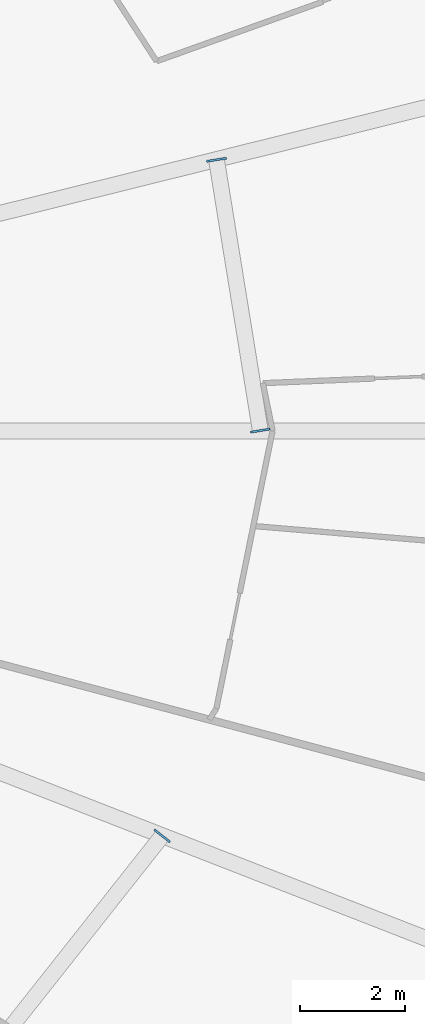
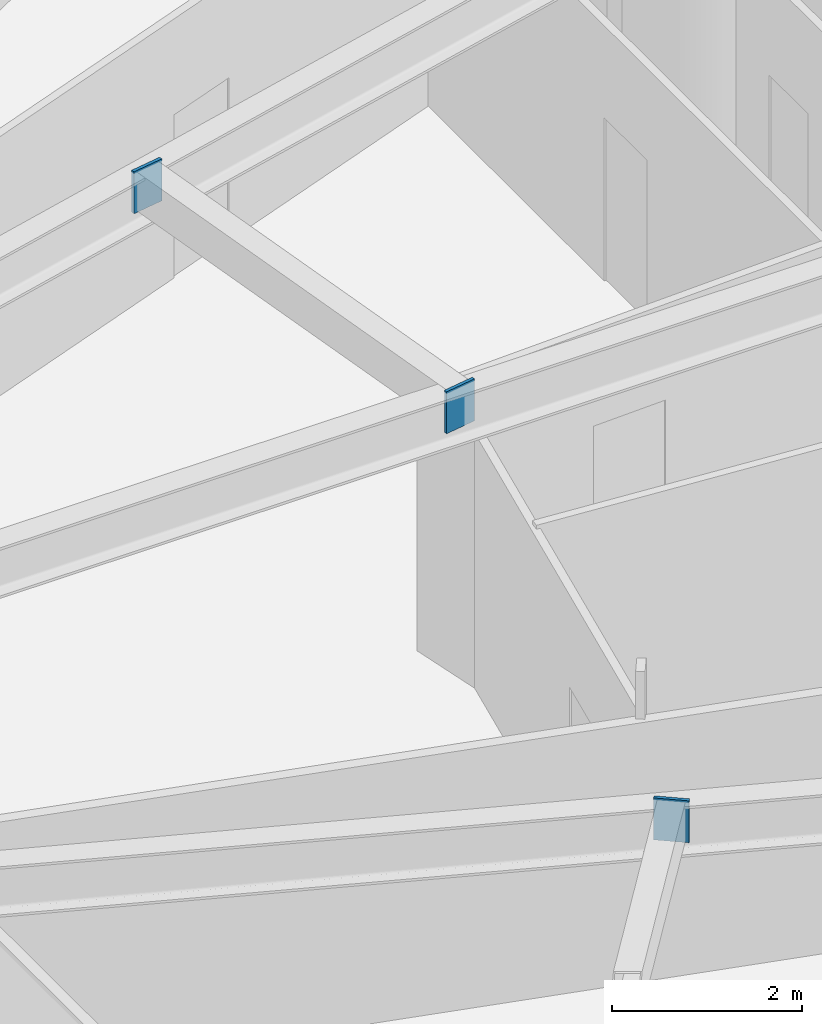
# One storey, part 8 of 24: 3 plates.
"""IFC4 building model written with IfcOpenShell, lengths in metres."""

from ifc_helpers import new_model, si_unit, direction, frame, origin, origin_2d, place, context, subcontext, project, spatial, rectangle, extrude, source, transform, mapped, material, layer, layer_set, type_object, element, save


model = new_model("IFC4")

# Units and contexts
model_context = context("Model", 3, precision=1e-05, world=origin(), true_north=direction((0.0, 1.0)))
body_context = subcontext(model_context, "Body", "Model", "MODEL_VIEW")
ifc_project = project(units=[si_unit("LENGTHUNIT", "METRE"), si_unit("AREAUNIT", "SQUARE_METRE"), si_unit("VOLUMEUNIT", "CUBIC_METRE"), si_unit("PLANEANGLEUNIT", "RADIAN"), si_unit("MASSUNIT", "GRAM", prefix="KILO")], contexts=[model_context])

# Site, building, storey
site_placement = place(None, origin())
site = spatial("IfcSite", under=ifc_project, at=site_placement, CompositionType="ELEMENT")
building_placement = place(site_placement, origin())
building = spatial("IfcBuilding", under=site, at=building_placement, Name="Linh Dai School and Residence Tower", CompositionType="ELEMENT")
storey_placement = place(building_placement, frame((0.0, 0.0, 70.199951171875)))
storey = spatial("IfcBuildingStorey", under=building, at=storey_placement, Name="L16", CompositionType="ELEMENT", Elevation=70.199951171875)

# Plates
ifc_material = material(Name="Structural Steel S355JR", Category="steel")
ifc_layer = layer(ifc_material, 0.0400390625)
ifc_layer_set = layer_set([ifc_layer], Name="Structural Steel S355JR")
plate_type = type_object("IfcPlateType", Name="PLT-GP1", PredefinedType="USERDEFINED", material=ifc_layer_set)
shared_shape = source(origin(), body_context, "Body", "SweptSolid", [
    extrude(rectangle(XDim=0.0400390625, YDim=0.3798828125, at=origin_2d()), origin(), (0.0, 0.0, 1.0), 0.5400390625),
])
for number, where, z_axis, x_axis, name in (
    (1, (57.607177734375, 27.0048828125, 3.429931640625), (0.0, 0.0, 1.0), (-0.159659022119, 0.987172222389, 0.0), "L16 Secondary Beam End Plate 01A"),
    (2, (56.774169921875, 32.15625, 3.429931640625), (0.0, 0.0, 1.0), (-0.159659022119, 0.987172222389, 0.0), "L16 Secondary Beam End Plate 01B"),
    (3, (55.740478515625, 19.297607421875, 3.429931640625), (0.0, 0.0, 1.0), (0.620177637481, 0.784461406297, 0.0), "L16 Secondary Beam End Plate 08B"),
):
    element("IfcPlate", number, at=place(storey_placement, frame(where, z_axis=z_axis, x_axis=x_axis)), inside=storey, type_object=plate_type, Name=name, ObjectType="GUSSET PLATE", PredefinedType="USERDEFINED", context=body_context, shape_type="MappedRepresentation", body=[
        mapped(shared_shape, transform((0.0, 0.0, 0.0), x_axis=(1.0, 0.0, 0.0), y_axis=(0.0, 1.0, 0.0), z_axis=(0.0, 0.0, 1.0), scale=1.0)),
    ])

save(model, "model.ifc")
